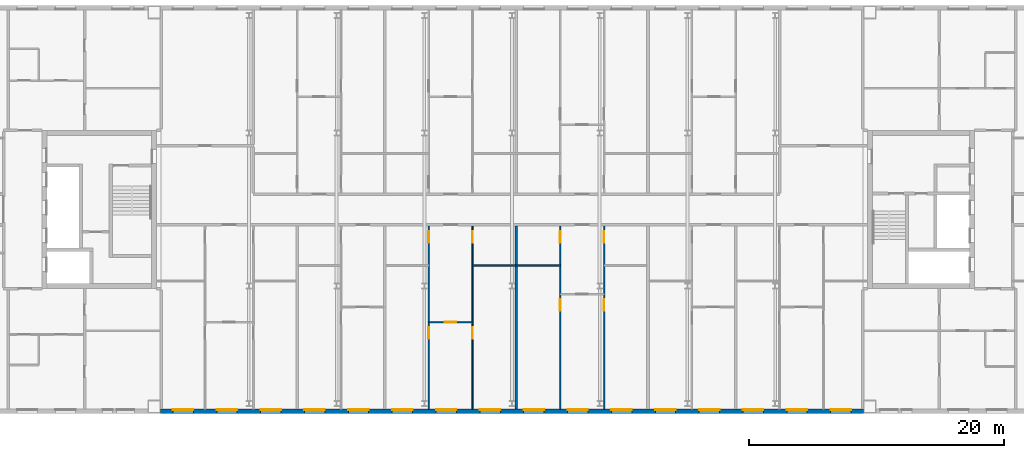
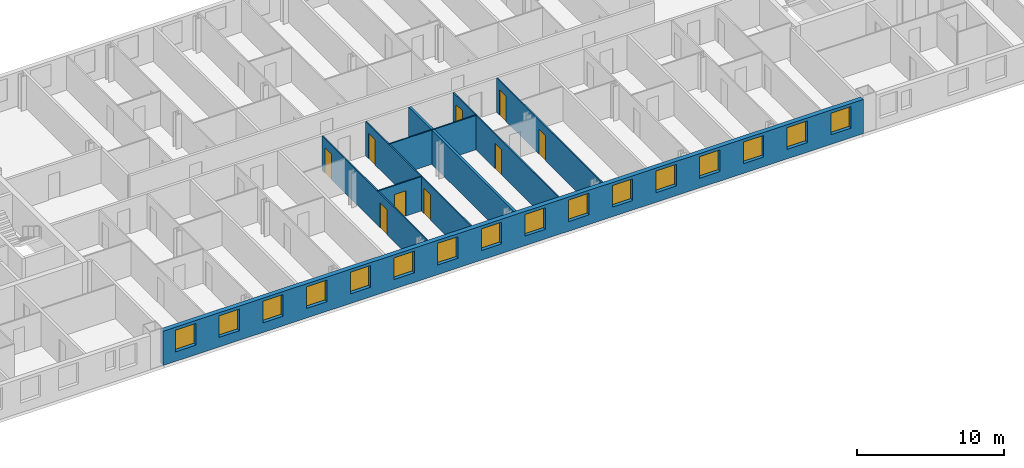
# One storey, part 10 of 19: 16 windows, 9 doors, 8 walls, 25 openings.
"""IFC4 building model written with IfcOpenShell, lengths in metres."""

from ifc_helpers import new_model, si_unit, direction, frame, frame_2d, origin, place, context, subcontext, project, spatial, rectangle, extrude, material, layer, layer_set, type_object, element, fill, save


model = new_model("IFC4")

# Units and contexts
model_context = context("Model", 3, precision=1e-05, world=origin(), true_north=direction((0.0, 1.0)))
body_context = subcontext(model_context, "Body", "Model", "MODEL_VIEW")
ifc_project = project(units=[si_unit("LENGTHUNIT", "METRE"), si_unit("AREAUNIT", "SQUARE_METRE"), si_unit("VOLUMEUNIT", "CUBIC_METRE"), si_unit("PLANEANGLEUNIT", "RADIAN"), si_unit("MASSUNIT", "GRAM", prefix="KILO")], contexts=[model_context])

# Site, building, storey
site_placement = place(None, origin())
site = spatial("IfcSite", under=ifc_project, at=site_placement, CompositionType="ELEMENT")
building_placement = place(site_placement, origin())
building = spatial("IfcBuilding", under=site, at=building_placement, Name="Tuart Gate Housing", CompositionType="ELEMENT")
storey_placement = place(building_placement, frame((0.0, 0.0, 209.0)))
storey = spatial("IfcBuildingStorey", under=building, at=storey_placement, Name="L59", CompositionType="ELEMENT", Elevation=209.0)

# Wall, openings, windows
ifc_material_1 = material(Name="Brick", Category="masonry")
ifc_layer_1 = layer(ifc_material_1, 0.360107421875)
ifc_layer_set_1 = layer_set([ifc_layer_1], Name="Brick pier and spandrel wall 360")
wall_type_1 = type_object("IfcWallType", Name="Brick pier and spandrel wall 360", PredefinedType="STANDARD", material=ifc_layer_set_1)
wall_1_placement = place(storey_placement, frame((75.949951171875, 54.179931640625, 0.0), z_axis=(0.0, 0.0, 1.0), x_axis=(1.0, 0.0, 0.0)))
wall_1 = element("IfcWall", 1, at=wall_1_placement, inside=storey, type_object=wall_type_1, Name="External wall BLK-S L59", PredefinedType="STANDARD", context=body_context, shape_type="SweptSolid", body=[
    extrude(rectangle(XDim=55.10009765625, YDim=0.360107421875, at=frame_2d((27.550048828125, 0.0))), origin(), (0.0, 0.0, 1.0), 2.85009765625),
])
opening_1_placement = place(wall_1_placement, frame((0.96875, 0.0, 0.800048828125)))
opening_1 = element("IfcOpeningElement", 2, at=opening_1_placement, cuts=wall_1, Name="Opening W1", PredefinedType="OPENING", context=body_context, shape_type="SweptSolid", body=[
    extrude(rectangle(XDim=1.60009765625, YDim=1.800048828125, at=frame_2d((0.800048828125, 0.89990234375))), frame((0.0, 0.18994140625, 0.0), z_axis=(0.0, -1.0, 0.0), x_axis=(1.0, 0.0, 0.0)), (0.0, 0.0, 1.0), 0.380126953125),
])
opening_2_placement = place(wall_1_placement, frame((4.40625, 0.0, 0.800048828125)))
opening_2 = element("IfcOpeningElement", 3, at=opening_2_placement, cuts=wall_1, Name="Opening W1", PredefinedType="OPENING", context=body_context, shape_type="SweptSolid", body=[
    extrude(rectangle(XDim=1.60009765625, YDim=1.800048828125, at=frame_2d((0.800048828125, 0.89990234375))), frame((0.0, 0.18994140625, 0.0), z_axis=(0.0, -1.0, 0.0), x_axis=(1.0, 0.0, 0.0)), (0.0, 0.0, 1.0), 0.380126953125),
])
opening_3_placement = place(wall_1_placement, frame((7.84375, 0.0, 0.800048828125)))
opening_3 = element("IfcOpeningElement", 4, at=opening_3_placement, cuts=wall_1, Name="Opening W1", PredefinedType="OPENING", context=body_context, shape_type="SweptSolid", body=[
    extrude(rectangle(XDim=1.60009765625, YDim=1.800048828125, at=frame_2d((0.800048828125, 0.89990234375))), frame((0.0, 0.18994140625, 0.0), z_axis=(0.0, -1.0, 0.0), x_axis=(1.0, 0.0, 0.0)), (0.0, 0.0, 1.0), 0.380126953125),
])
opening_4_placement = place(wall_1_placement, frame((11.28125, 0.0, 0.800048828125)))
opening_4 = element("IfcOpeningElement", 5, at=opening_4_placement, cuts=wall_1, Name="Opening W1", PredefinedType="OPENING", context=body_context, shape_type="SweptSolid", body=[
    extrude(rectangle(XDim=1.60009765625, YDim=1.800048828125, at=frame_2d((0.800048828125, 0.89990234375))), frame((0.0, 0.18994140625, 0.0), z_axis=(0.0, -1.0, 0.0), x_axis=(1.0, 0.0, 0.0)), (0.0, 0.0, 1.0), 0.380126953125),
])
opening_5_placement = place(wall_1_placement, frame((14.71875, 0.0, 0.800048828125)))
opening_5 = element("IfcOpeningElement", 6, at=opening_5_placement, cuts=wall_1, Name="Opening W1", PredefinedType="OPENING", context=body_context, shape_type="SweptSolid", body=[
    extrude(rectangle(XDim=1.60009765625, YDim=1.800048828125, at=frame_2d((0.800048828125, 0.89990234375))), frame((0.0, 0.18994140625, 0.0), z_axis=(0.0, -1.0, 0.0), x_axis=(1.0, 0.0, 0.0)), (0.0, 0.0, 1.0), 0.380126953125),
])
opening_6_placement = place(wall_1_placement, frame((18.15625, 0.0, 0.800048828125)))
opening_6 = element("IfcOpeningElement", 7, at=opening_6_placement, cuts=wall_1, Name="Opening W1", PredefinedType="OPENING", context=body_context, shape_type="SweptSolid", body=[
    extrude(rectangle(XDim=1.60009765625, YDim=1.800048828125, at=frame_2d((0.800048828125, 0.89990234375))), frame((0.0, 0.18994140625, 0.0), z_axis=(0.0, -1.0, 0.0), x_axis=(1.0, 0.0, 0.0)), (0.0, 0.0, 1.0), 0.380126953125),
])
opening_7_placement = place(wall_1_placement, frame((21.59375, 0.0, 0.800048828125)))
opening_7 = element("IfcOpeningElement", 8, at=opening_7_placement, cuts=wall_1, Name="Opening W1", PredefinedType="OPENING", context=body_context, shape_type="SweptSolid", body=[
    extrude(rectangle(XDim=1.60009765625, YDim=1.800048828125, at=frame_2d((0.800048828125, 0.89990234375))), frame((0.0, 0.18994140625, 0.0), z_axis=(0.0, -1.0, 0.0), x_axis=(1.0, 0.0, 0.0)), (0.0, 0.0, 1.0), 0.380126953125),
])
opening_8_placement = place(wall_1_placement, frame((25.03125, 0.0, 0.800048828125)))
opening_8 = element("IfcOpeningElement", 9, at=opening_8_placement, cuts=wall_1, Name="Opening W1", PredefinedType="OPENING", context=body_context, shape_type="SweptSolid", body=[
    extrude(rectangle(XDim=1.60009765625, YDim=1.800048828125, at=frame_2d((0.800048828125, 0.89990234375))), frame((0.0, 0.18994140625, 0.0), z_axis=(0.0, -1.0, 0.0), x_axis=(1.0, 0.0, 0.0)), (0.0, 0.0, 1.0), 0.380126953125),
])
opening_9_placement = place(wall_1_placement, frame((28.46875, 0.0, 0.800048828125)))
opening_9 = element("IfcOpeningElement", 10, at=opening_9_placement, cuts=wall_1, Name="Opening W1", PredefinedType="OPENING", context=body_context, shape_type="SweptSolid", body=[
    extrude(rectangle(XDim=1.60009765625, YDim=1.800048828125, at=frame_2d((0.800048828125, 0.89990234375))), frame((0.0, 0.18994140625, 0.0), z_axis=(0.0, -1.0, 0.0), x_axis=(1.0, 0.0, 0.0)), (0.0, 0.0, 1.0), 0.380126953125),
])
opening_10_placement = place(wall_1_placement, frame((31.90625, 0.0, 0.800048828125)))
opening_10 = element("IfcOpeningElement", 11, at=opening_10_placement, cuts=wall_1, Name="Opening W1", PredefinedType="OPENING", context=body_context, shape_type="SweptSolid", body=[
    extrude(rectangle(XDim=1.60009765625, YDim=1.800048828125, at=frame_2d((0.800048828125, 0.89990234375))), frame((0.0, 0.18994140625, 0.0), z_axis=(0.0, -1.0, 0.0), x_axis=(1.0, 0.0, 0.0)), (0.0, 0.0, 1.0), 0.380126953125),
])
opening_11_placement = place(wall_1_placement, frame((35.34375, 0.0, 0.800048828125)))
opening_11 = element("IfcOpeningElement", 12, at=opening_11_placement, cuts=wall_1, Name="Opening W1", PredefinedType="OPENING", context=body_context, shape_type="SweptSolid", body=[
    extrude(rectangle(XDim=1.60009765625, YDim=1.800048828125, at=frame_2d((0.800048828125, 0.89990234375))), frame((0.0, 0.18994140625, 0.0), z_axis=(0.0, -1.0, 0.0), x_axis=(1.0, 0.0, 0.0)), (0.0, 0.0, 1.0), 0.380126953125),
])
opening_12_placement = place(wall_1_placement, frame((38.78125, 0.0, 0.800048828125)))
opening_12 = element("IfcOpeningElement", 13, at=opening_12_placement, cuts=wall_1, Name="Opening W1", PredefinedType="OPENING", context=body_context, shape_type="SweptSolid", body=[
    extrude(rectangle(XDim=1.60009765625, YDim=1.800048828125, at=frame_2d((0.800048828125, 0.89990234375))), frame((0.0, 0.18994140625, 0.0), z_axis=(0.0, -1.0, 0.0), x_axis=(1.0, 0.0, 0.0)), (0.0, 0.0, 1.0), 0.380126953125),
])
opening_13_placement = place(wall_1_placement, frame((42.21875, 0.0, 0.800048828125)))
opening_13 = element("IfcOpeningElement", 14, at=opening_13_placement, cuts=wall_1, Name="Opening W1", PredefinedType="OPENING", context=body_context, shape_type="SweptSolid", body=[
    extrude(rectangle(XDim=1.60009765625, YDim=1.800048828125, at=frame_2d((0.800048828125, 0.89990234375))), frame((0.0, 0.18994140625, 0.0), z_axis=(0.0, -1.0, 0.0), x_axis=(1.0, 0.0, 0.0)), (0.0, 0.0, 1.0), 0.380126953125),
])
opening_14_placement = place(wall_1_placement, frame((45.65625, 0.0, 0.800048828125)))
opening_14 = element("IfcOpeningElement", 15, at=opening_14_placement, cuts=wall_1, Name="Opening W1", PredefinedType="OPENING", context=body_context, shape_type="SweptSolid", body=[
    extrude(rectangle(XDim=1.60009765625, YDim=1.800048828125, at=frame_2d((0.800048828125, 0.89990234375))), frame((0.0, 0.18994140625, 0.0), z_axis=(0.0, -1.0, 0.0), x_axis=(1.0, 0.0, 0.0)), (0.0, 0.0, 1.0), 0.380126953125),
])
opening_15_placement = place(wall_1_placement, frame((49.09375, 0.0, 0.800048828125)))
opening_15 = element("IfcOpeningElement", 16, at=opening_15_placement, cuts=wall_1, Name="Opening W1", PredefinedType="OPENING", context=body_context, shape_type="SweptSolid", body=[
    extrude(rectangle(XDim=1.60009765625, YDim=1.800048828125, at=frame_2d((0.800048828125, 0.89990234375))), frame((0.0, 0.18994140625, 0.0), z_axis=(0.0, -1.0, 0.0), x_axis=(1.0, 0.0, 0.0)), (0.0, 0.0, 1.0), 0.380126953125),
])
opening_16_placement = place(wall_1_placement, frame((52.53125, 0.0, 0.800048828125)))
opening_16 = element("IfcOpeningElement", 17, at=opening_16_placement, cuts=wall_1, Name="Opening W1", PredefinedType="OPENING", context=body_context, shape_type="SweptSolid", body=[
    extrude(rectangle(XDim=1.60009765625, YDim=1.800048828125, at=frame_2d((0.800048828125, 0.89990234375))), frame((0.0, 0.18994140625, 0.0), z_axis=(0.0, -1.0, 0.0), x_axis=(1.0, 0.0, 0.0)), (0.0, 0.0, 1.0), 0.380126953125),
])
ifc_material_2 = material(Name="Aluminium frame with clear glass", Category="aluminium")
window_type = type_object("IfcWindowType", Name="Punched window 1600 x 1800", PartitioningType="SINGLE_PANEL", PredefinedType="WINDOW", material=ifc_material_2)
window_1_placement = place(opening_1_placement, origin())
window_1 = element("IfcWindow", 18, at=window_1_placement, inside=storey, type_object=window_type, Name="Window W1", OverallHeight=1.800048828125, OverallWidth=1.60009765625, PartitioningType="SINGLE_PANEL", PredefinedType="WINDOW", context=body_context, shape_type="SweptSolid", body=[
    extrude(rectangle(XDim=1.60009765625, YDim=1.800048828125, at=frame_2d((0.800048828125, 0.89990234375))), frame((0.0, 0.150146484375, 0.0), z_axis=(0.0, -1.0, 0.0), x_axis=(1.0, 0.0, 0.0)), (0.0, 0.0, 1.0), 0.06005859375),
])
fill(opening_1, window_1)
window_2_placement = place(opening_2_placement, origin())
window_2 = element("IfcWindow", 19, at=window_2_placement, inside=storey, type_object=window_type, Name="Window W1", OverallHeight=1.800048828125, OverallWidth=1.60009765625, PartitioningType="SINGLE_PANEL", PredefinedType="WINDOW", context=body_context, shape_type="SweptSolid", body=[
    extrude(rectangle(XDim=1.60009765625, YDim=1.800048828125, at=frame_2d((0.800048828125, 0.89990234375))), frame((0.0, 0.150146484375, 0.0), z_axis=(0.0, -1.0, 0.0), x_axis=(1.0, 0.0, 0.0)), (0.0, 0.0, 1.0), 0.06005859375),
])
fill(opening_2, window_2)
window_3_placement = place(opening_3_placement, origin())
window_3 = element("IfcWindow", 20, at=window_3_placement, inside=storey, type_object=window_type, Name="Window W1", OverallHeight=1.800048828125, OverallWidth=1.60009765625, PartitioningType="SINGLE_PANEL", PredefinedType="WINDOW", context=body_context, shape_type="SweptSolid", body=[
    extrude(rectangle(XDim=1.60009765625, YDim=1.800048828125, at=frame_2d((0.800048828125, 0.89990234375))), frame((0.0, 0.150146484375, 0.0), z_axis=(0.0, -1.0, 0.0), x_axis=(1.0, 0.0, 0.0)), (0.0, 0.0, 1.0), 0.06005859375),
])
fill(opening_3, window_3)
window_4_placement = place(opening_4_placement, origin())
window_4 = element("IfcWindow", 21, at=window_4_placement, inside=storey, type_object=window_type, Name="Window W1", OverallHeight=1.800048828125, OverallWidth=1.60009765625, PartitioningType="SINGLE_PANEL", PredefinedType="WINDOW", context=body_context, shape_type="SweptSolid", body=[
    extrude(rectangle(XDim=1.60009765625, YDim=1.800048828125, at=frame_2d((0.800048828125, 0.89990234375))), frame((0.0, 0.150146484375, 0.0), z_axis=(0.0, -1.0, 0.0), x_axis=(1.0, 0.0, 0.0)), (0.0, 0.0, 1.0), 0.06005859375),
])
fill(opening_4, window_4)
window_5_placement = place(opening_5_placement, origin())
window_5 = element("IfcWindow", 22, at=window_5_placement, inside=storey, type_object=window_type, Name="Window W1", OverallHeight=1.800048828125, OverallWidth=1.60009765625, PartitioningType="SINGLE_PANEL", PredefinedType="WINDOW", context=body_context, shape_type="SweptSolid", body=[
    extrude(rectangle(XDim=1.60009765625, YDim=1.800048828125, at=frame_2d((0.800048828125, 0.89990234375))), frame((0.0, 0.150146484375, 0.0), z_axis=(0.0, -1.0, 0.0), x_axis=(1.0, 0.0, 0.0)), (0.0, 0.0, 1.0), 0.06005859375),
])
fill(opening_5, window_5)
window_6_placement = place(opening_6_placement, origin())
window_6 = element("IfcWindow", 23, at=window_6_placement, inside=storey, type_object=window_type, Name="Window W1", OverallHeight=1.800048828125, OverallWidth=1.60009765625, PartitioningType="SINGLE_PANEL", PredefinedType="WINDOW", context=body_context, shape_type="SweptSolid", body=[
    extrude(rectangle(XDim=1.60009765625, YDim=1.800048828125, at=frame_2d((0.800048828125, 0.89990234375))), frame((0.0, 0.150146484375, 0.0), z_axis=(0.0, -1.0, 0.0), x_axis=(1.0, 0.0, 0.0)), (0.0, 0.0, 1.0), 0.06005859375),
])
fill(opening_6, window_6)
window_7_placement = place(opening_7_placement, origin())
window_7 = element("IfcWindow", 24, at=window_7_placement, inside=storey, type_object=window_type, Name="Window W1", OverallHeight=1.800048828125, OverallWidth=1.60009765625, PartitioningType="SINGLE_PANEL", PredefinedType="WINDOW", context=body_context, shape_type="SweptSolid", body=[
    extrude(rectangle(XDim=1.60009765625, YDim=1.800048828125, at=frame_2d((0.800048828125, 0.89990234375))), frame((0.0, 0.150146484375, 0.0), z_axis=(0.0, -1.0, 0.0), x_axis=(1.0, 0.0, 0.0)), (0.0, 0.0, 1.0), 0.06005859375),
])
fill(opening_7, window_7)
window_8_placement = place(opening_8_placement, origin())
window_8 = element("IfcWindow", 25, at=window_8_placement, inside=storey, type_object=window_type, Name="Window W1", OverallHeight=1.800048828125, OverallWidth=1.60009765625, PartitioningType="SINGLE_PANEL", PredefinedType="WINDOW", context=body_context, shape_type="SweptSolid", body=[
    extrude(rectangle(XDim=1.60009765625, YDim=1.800048828125, at=frame_2d((0.800048828125, 0.89990234375))), frame((0.0, 0.150146484375, 0.0), z_axis=(0.0, -1.0, 0.0), x_axis=(1.0, 0.0, 0.0)), (0.0, 0.0, 1.0), 0.06005859375),
])
fill(opening_8, window_8)
window_9_placement = place(opening_9_placement, origin())
window_9 = element("IfcWindow", 26, at=window_9_placement, inside=storey, type_object=window_type, Name="Window W1", OverallHeight=1.800048828125, OverallWidth=1.60009765625, PartitioningType="SINGLE_PANEL", PredefinedType="WINDOW", context=body_context, shape_type="SweptSolid", body=[
    extrude(rectangle(XDim=1.60009765625, YDim=1.800048828125, at=frame_2d((0.800048828125, 0.89990234375))), frame((0.0, 0.150146484375, 0.0), z_axis=(0.0, -1.0, 0.0), x_axis=(1.0, 0.0, 0.0)), (0.0, 0.0, 1.0), 0.06005859375),
])
fill(opening_9, window_9)
window_10_placement = place(opening_10_placement, origin())
window_10 = element("IfcWindow", 27, at=window_10_placement, inside=storey, type_object=window_type, Name="Window W1", OverallHeight=1.800048828125, OverallWidth=1.60009765625, PartitioningType="SINGLE_PANEL", PredefinedType="WINDOW", context=body_context, shape_type="SweptSolid", body=[
    extrude(rectangle(XDim=1.60009765625, YDim=1.800048828125, at=frame_2d((0.800048828125, 0.89990234375))), frame((0.0, 0.150146484375, 0.0), z_axis=(0.0, -1.0, 0.0), x_axis=(1.0, 0.0, 0.0)), (0.0, 0.0, 1.0), 0.06005859375),
])
fill(opening_10, window_10)
window_11_placement = place(opening_11_placement, origin())
window_11 = element("IfcWindow", 28, at=window_11_placement, inside=storey, type_object=window_type, Name="Window W1", OverallHeight=1.800048828125, OverallWidth=1.60009765625, PartitioningType="SINGLE_PANEL", PredefinedType="WINDOW", context=body_context, shape_type="SweptSolid", body=[
    extrude(rectangle(XDim=1.60009765625, YDim=1.800048828125, at=frame_2d((0.800048828125, 0.89990234375))), frame((0.0, 0.150146484375, 0.0), z_axis=(0.0, -1.0, 0.0), x_axis=(1.0, 0.0, 0.0)), (0.0, 0.0, 1.0), 0.06005859375),
])
fill(opening_11, window_11)
window_12_placement = place(opening_12_placement, origin())
window_12 = element("IfcWindow", 29, at=window_12_placement, inside=storey, type_object=window_type, Name="Window W1", OverallHeight=1.800048828125, OverallWidth=1.60009765625, PartitioningType="SINGLE_PANEL", PredefinedType="WINDOW", context=body_context, shape_type="SweptSolid", body=[
    extrude(rectangle(XDim=1.60009765625, YDim=1.800048828125, at=frame_2d((0.800048828125, 0.89990234375))), frame((0.0, 0.150146484375, 0.0), z_axis=(0.0, -1.0, 0.0), x_axis=(1.0, 0.0, 0.0)), (0.0, 0.0, 1.0), 0.06005859375),
])
fill(opening_12, window_12)
window_13_placement = place(opening_13_placement, origin())
window_13 = element("IfcWindow", 30, at=window_13_placement, inside=storey, type_object=window_type, Name="Window W1", OverallHeight=1.800048828125, OverallWidth=1.60009765625, PartitioningType="SINGLE_PANEL", PredefinedType="WINDOW", context=body_context, shape_type="SweptSolid", body=[
    extrude(rectangle(XDim=1.60009765625, YDim=1.800048828125, at=frame_2d((0.800048828125, 0.89990234375))), frame((0.0, 0.150146484375, 0.0), z_axis=(0.0, -1.0, 0.0), x_axis=(1.0, 0.0, 0.0)), (0.0, 0.0, 1.0), 0.06005859375),
])
fill(opening_13, window_13)
window_14_placement = place(opening_14_placement, origin())
window_14 = element("IfcWindow", 31, at=window_14_placement, inside=storey, type_object=window_type, Name="Window W1", OverallHeight=1.800048828125, OverallWidth=1.60009765625, PartitioningType="SINGLE_PANEL", PredefinedType="WINDOW", context=body_context, shape_type="SweptSolid", body=[
    extrude(rectangle(XDim=1.60009765625, YDim=1.800048828125, at=frame_2d((0.800048828125, 0.89990234375))), frame((0.0, 0.150146484375, 0.0), z_axis=(0.0, -1.0, 0.0), x_axis=(1.0, 0.0, 0.0)), (0.0, 0.0, 1.0), 0.06005859375),
])
fill(opening_14, window_14)
window_15_placement = place(opening_15_placement, origin())
window_15 = element("IfcWindow", 32, at=window_15_placement, inside=storey, type_object=window_type, Name="Window W1", OverallHeight=1.800048828125, OverallWidth=1.60009765625, PartitioningType="SINGLE_PANEL", PredefinedType="WINDOW", context=body_context, shape_type="SweptSolid", body=[
    extrude(rectangle(XDim=1.60009765625, YDim=1.800048828125, at=frame_2d((0.800048828125, 0.89990234375))), frame((0.0, 0.150146484375, 0.0), z_axis=(0.0, -1.0, 0.0), x_axis=(1.0, 0.0, 0.0)), (0.0, 0.0, 1.0), 0.06005859375),
])
fill(opening_15, window_15)
window_16_placement = place(opening_16_placement, origin())
window_16 = element("IfcWindow", 33, at=window_16_placement, inside=storey, type_object=window_type, Name="Window W1", OverallHeight=1.800048828125, OverallWidth=1.60009765625, PartitioningType="SINGLE_PANEL", PredefinedType="WINDOW", context=body_context, shape_type="SweptSolid", body=[
    extrude(rectangle(XDim=1.60009765625, YDim=1.800048828125, at=frame_2d((0.800048828125, 0.89990234375))), frame((0.0, 0.150146484375, 0.0), z_axis=(0.0, -1.0, 0.0), x_axis=(1.0, 0.0, 0.0)), (0.0, 0.0, 1.0), 0.06005859375),
])
fill(opening_16, window_16)

# Wall, opening, door
ifc_material_3 = material(Name="Gypsum board on steel studs", Category="steel")
ifc_layer_2 = layer(ifc_material_3, 0.10009765625)
ifc_layer_set_2 = layer_set([ifc_layer_2], Name="Partition 100")
wall_type_2 = type_object("IfcWallType", Name="Partition 100", PredefinedType="PARTITIONING", material=ifc_layer_set_2)
wall_2_placement = place(storey_placement, frame((96.97509765625, 61.159912109375, 0.0), z_axis=(0.0, 0.0, 1.0), x_axis=(1.0, 0.0, 0.0)))
wall_2 = element("IfcWall", 34, at=wall_2_placement, inside=storey, type_object=wall_type_2, Name="Partition 100", PredefinedType="PARTITIONING", context=body_context, shape_type="SweptSolid", body=[
    extrude(rectangle(XDim=3.43701171875, YDim=0.10009765625, at=frame_2d((1.718505859375, 0.0))), origin(), (0.0, 0.0, 1.0), 2.85009765625),
])
opening_17_placement = place(wall_2_placement, frame((1.2685546875, 0.0, 0.0)))
opening_17 = element("IfcOpeningElement", 35, at=opening_17_placement, cuts=wall_2, Name="Opening D2223", PredefinedType="OPENING", context=body_context, shape_type="SweptSolid", body=[
    extrude(rectangle(XDim=0.89990234375, YDim=2.10009765625, at=frame_2d((0.449951171875, 1.050048828125))), frame((0.0, 0.06005859375, 0.0), z_axis=(0.0, -1.0, 0.0), x_axis=(1.0, 0.0, 0.0)), (0.0, 0.0, 1.0), 0.1201171875),
])
ifc_material_4 = material(Name="Timber door leaf in steel frame", Category="steel")
door_type_1 = type_object("IfcDoorType", Name="Internal door 900", OperationType="SINGLE_SWING_LEFT", PredefinedType="DOOR", material=ifc_material_4)
door_1_placement = place(opening_17_placement, origin())
door_1 = element("IfcDoor", 36, at=door_1_placement, inside=storey, type_object=door_type_1, Name="Internal door", OperationType="SINGLE_SWING_LEFT", OverallHeight=2.10009765625, OverallWidth=0.89990234375, PredefinedType="DOOR", context=body_context, shape_type="SweptSolid", body=[
    extrude(rectangle(XDim=0.89990234375, YDim=2.10009765625, at=frame_2d((0.449951171875, 1.050048828125))), frame((0.0, 0.02490234375, 0.0), z_axis=(0.0, -1.0, 0.0), x_axis=(1.0, 0.0, 0.0)), (0.0, 0.0, 1.0), 0.050048828125),
])
fill(opening_17, door_1)

# Wall
wall_3_placement = place(storey_placement, frame((100.412109375, 65.60009765625, 0.0), z_axis=(0.0, 0.0, 1.0), x_axis=(1.0, 0.0, 0.0)))
element("IfcWall", 37, at=wall_3_placement, inside=storey, type_object=wall_type_2, Name="Partition 100", PredefinedType="PARTITIONING", context=body_context, shape_type="SweptSolid", body=[
    extrude(rectangle(XDim=6.875, YDim=0.10009765625, at=frame_2d((3.4375, 0.0))), origin(), (0.0, 0.0, 1.0), 2.85009765625),
])

# Wall, openings, doors
wall_4_placement = place(storey_placement, frame((96.97509765625, 54.360107421875, 0.0), z_axis=(0.0, 0.0, 1.0), x_axis=(0.0, 1.0, 0.0)))
wall_4 = element("IfcWall", 38, at=wall_4_placement, inside=storey, type_object=wall_type_2, Name="Partition 100", PredefinedType="PARTITIONING", context=body_context, shape_type="SweptSolid", body=[
    extrude(rectangle(XDim=14.33984375, YDim=0.10009765625, at=frame_2d((7.169921875, 0.0))), origin(), (0.0, 0.0, 1.0), 2.85009765625),
])
opening_18_placement = place(wall_4_placement, frame((5.5, 0.0, 0.0)))
opening_18 = element("IfcOpeningElement", 39, at=opening_18_placement, cuts=wall_4, Name="Opening D2209", PredefinedType="OPENING", context=body_context, shape_type="SweptSolid", body=[
    extrude(rectangle(XDim=0.89990234375, YDim=2.10009765625, at=frame_2d((0.449951171875, 1.050048828125))), frame((0.0, 0.06005859375, 0.0), z_axis=(0.0, -1.0, 0.0), x_axis=(1.0, 0.0, 0.0)), (0.0, 0.0, 1.0), 0.1201171875),
])
opening_19_placement = place(wall_4_placement, frame((13.0400390625, 0.0, 0.0)))
opening_19 = element("IfcOpeningElement", 40, at=opening_19_placement, cuts=wall_4, Name="Opening D2208", PredefinedType="OPENING", context=body_context, shape_type="SweptSolid", body=[
    extrude(rectangle(XDim=0.89990234375, YDim=2.10009765625, at=frame_2d((0.449951171875, 1.050048828125))), frame((0.0, 0.06005859375, 0.0), z_axis=(0.0, -1.0, 0.0), x_axis=(1.0, 0.0, 0.0)), (0.0, 0.0, 1.0), 0.1201171875),
])
ifc_material_5 = material(Name="Timber door leaf in steel frame", Category="steel")
door_type_2 = type_object("IfcDoorType", Name="Bathroom door 900 RH", OperationType="SINGLE_SWING_RIGHT", PredefinedType="DOOR", material=ifc_material_5)
door_2_placement = place(opening_19_placement, origin())
door_2 = element("IfcDoor", 41, at=door_2_placement, inside=storey, type_object=door_type_2, Name="Bathroom door", OperationType="SINGLE_SWING_RIGHT", OverallHeight=2.10009765625, OverallWidth=0.89990234375, PredefinedType="DOOR", context=body_context, shape_type="SweptSolid", body=[
    extrude(rectangle(XDim=0.89990234375, YDim=2.10009765625, at=frame_2d((0.449951171875, 1.050048828125))), frame((0.0, 0.02490234375, 0.0), z_axis=(0.0, -1.0, 0.0), x_axis=(1.0, 0.0, 0.0)), (0.0, 0.0, 1.0), 0.050048828125),
])
fill(opening_19, door_2)
ifc_material_6 = material(Name="Timber door leaf in steel frame", Category="steel")
door_type_3 = type_object("IfcDoorType", Name="Internal door 900 RH", OperationType="SINGLE_SWING_RIGHT", PredefinedType="DOOR", material=ifc_material_6)
door_3_placement = place(opening_18_placement, origin())
door_3 = element("IfcDoor", 42, at=door_3_placement, inside=storey, type_object=door_type_3, Name="Internal door", OperationType="SINGLE_SWING_RIGHT", OverallHeight=2.10009765625, OverallWidth=0.89990234375, PredefinedType="DOOR", context=body_context, shape_type="SweptSolid", body=[
    extrude(rectangle(XDim=0.89990234375, YDim=2.10009765625, at=frame_2d((0.449951171875, 1.050048828125))), frame((0.0, 0.02490234375, 0.0), z_axis=(0.0, -1.0, 0.0), x_axis=(1.0, 0.0, 0.0)), (0.0, 0.0, 1.0), 0.050048828125),
])
fill(opening_18, door_3)

wall_5_placement = place(storey_placement, frame((100.412109375, 54.360107421875, 0.0), z_axis=(0.0, 0.0, 1.0), x_axis=(0.0, 1.0, 0.0)))
wall_5 = element("IfcWall", 43, at=wall_5_placement, inside=storey, type_object=wall_type_2, Name="Partition 100", PredefinedType="PARTITIONING", context=body_context, shape_type="SweptSolid", body=[
    extrude(rectangle(XDim=14.33984375, YDim=0.10009765625, at=frame_2d((7.169921875, 0.0))), origin(), (0.0, 0.0, 1.0), 2.85009765625),
])
opening_20_placement = place(wall_5_placement, frame((5.5, 0.0, 0.0)))
opening_20 = element("IfcOpeningElement", 44, at=opening_20_placement, cuts=wall_5, Name="Opening D2211", PredefinedType="OPENING", context=body_context, shape_type="SweptSolid", body=[
    extrude(rectangle(XDim=0.89990234375, YDim=2.10009765625, at=frame_2d((0.449951171875, 1.050048828125))), frame((0.0, 0.06005859375, 0.0), z_axis=(0.0, -1.0, 0.0), x_axis=(1.0, 0.0, 0.0)), (0.0, 0.0, 1.0), 0.1201171875),
])
opening_21_placement = place(wall_5_placement, frame((13.0400390625, 0.0, 0.0)))
opening_21 = element("IfcOpeningElement", 45, at=opening_21_placement, cuts=wall_5, Name="Opening D2210", PredefinedType="OPENING", context=body_context, shape_type="SweptSolid", body=[
    extrude(rectangle(XDim=0.89990234375, YDim=2.10009765625, at=frame_2d((0.449951171875, 1.050048828125))), frame((0.0, 0.06005859375, 0.0), z_axis=(0.0, -1.0, 0.0), x_axis=(1.0, 0.0, 0.0)), (0.0, 0.0, 1.0), 0.1201171875),
])
ifc_material_7 = material(Name="Timber door leaf in steel frame", Category="steel")
door_type_4 = type_object("IfcDoorType", Name="Bathroom door 900", OperationType="SINGLE_SWING_LEFT", PredefinedType="DOOR", material=ifc_material_7)
door_4_placement = place(opening_21_placement, frame((0.89990234375, 0.0, 0.0), z_axis=(0.0, 0.0, 1.0), x_axis=(-1.0, 0.0, 0.0)))
door_4 = element("IfcDoor", 46, at=door_4_placement, inside=storey, type_object=door_type_4, Name="Bathroom door", OperationType="SINGLE_SWING_LEFT", OverallHeight=2.10009765625, OverallWidth=0.89990234375, PredefinedType="DOOR", context=body_context, shape_type="SweptSolid", body=[
    extrude(rectangle(XDim=0.89990234375, YDim=2.10009765625, at=frame_2d((0.449951171875, 1.050048828125))), frame((0.0, 0.025146484375, 0.0), z_axis=(0.0, -1.0, 0.0), x_axis=(1.0, 0.0, 0.0)), (0.0, 0.0, 1.0), 0.050048828125),
])
fill(opening_21, door_4)
door_5_placement = place(opening_20_placement, frame((0.89990234375, 0.0, 0.0), z_axis=(0.0, 0.0, 1.0), x_axis=(-1.0, 0.0, 0.0)))
door_5 = element("IfcDoor", 47, at=door_5_placement, inside=storey, type_object=door_type_1, Name="Internal door", OperationType="SINGLE_SWING_LEFT", OverallHeight=2.10009765625, OverallWidth=0.89990234375, PredefinedType="DOOR", context=body_context, shape_type="SweptSolid", body=[
    extrude(rectangle(XDim=0.89990234375, YDim=2.10009765625, at=frame_2d((0.449951171875, 1.050048828125))), frame((0.0, 0.025146484375, 0.0), z_axis=(0.0, -1.0, 0.0), x_axis=(1.0, 0.0, 0.0)), (0.0, 0.0, 1.0), 0.050048828125),
])
fill(opening_20, door_5)

wall_6_placement = place(storey_placement, frame((107.287109375, 54.360107421875, 0.0), z_axis=(0.0, 0.0, 1.0), x_axis=(0.0, 1.0, 0.0)))
wall_6 = element("IfcWall", 48, at=wall_6_placement, inside=storey, type_object=wall_type_2, Name="Partition 100", PredefinedType="PARTITIONING", context=body_context, shape_type="SweptSolid", body=[
    extrude(rectangle(XDim=14.33984375, YDim=0.10009765625, at=frame_2d((7.169921875, 0.0))), origin(), (0.0, 0.0, 1.0), 2.85009765625),
])
opening_22_placement = place(wall_6_placement, frame((7.699951171875, 0.0, 0.0)))
opening_22 = element("IfcOpeningElement", 49, at=opening_22_placement, cuts=wall_6, Name="Opening D2213", PredefinedType="OPENING", context=body_context, shape_type="SweptSolid", body=[
    extrude(rectangle(XDim=0.89990234375, YDim=2.10009765625, at=frame_2d((0.449951171875, 1.050048828125))), frame((0.0, 0.06005859375, 0.0), z_axis=(0.0, -1.0, 0.0), x_axis=(1.0, 0.0, 0.0)), (0.0, 0.0, 1.0), 0.1201171875),
])
opening_23_placement = place(wall_6_placement, frame((13.0400390625, 0.0, 0.0)))
opening_23 = element("IfcOpeningElement", 50, at=opening_23_placement, cuts=wall_6, Name="Opening D2212", PredefinedType="OPENING", context=body_context, shape_type="SweptSolid", body=[
    extrude(rectangle(XDim=0.89990234375, YDim=2.10009765625, at=frame_2d((0.449951171875, 1.050048828125))), frame((0.0, 0.06005859375, 0.0), z_axis=(0.0, -1.0, 0.0), x_axis=(1.0, 0.0, 0.0)), (0.0, 0.0, 1.0), 0.1201171875),
])
door_6_placement = place(opening_23_placement, origin())
door_6 = element("IfcDoor", 51, at=door_6_placement, inside=storey, type_object=door_type_2, Name="Bathroom door", OperationType="SINGLE_SWING_RIGHT", OverallHeight=2.10009765625, OverallWidth=0.89990234375, PredefinedType="DOOR", context=body_context, shape_type="SweptSolid", body=[
    extrude(rectangle(XDim=0.89990234375, YDim=2.10009765625, at=frame_2d((0.449951171875, 1.050048828125))), frame((0.0, 0.02490234375, 0.0), z_axis=(0.0, -1.0, 0.0), x_axis=(1.0, 0.0, 0.0)), (0.0, 0.0, 1.0), 0.050048828125),
])
fill(opening_23, door_6)
door_7_placement = place(opening_22_placement, origin())
door_7 = element("IfcDoor", 52, at=door_7_placement, inside=storey, type_object=door_type_3, Name="Internal door", OperationType="SINGLE_SWING_RIGHT", OverallHeight=2.10009765625, OverallWidth=0.89990234375, PredefinedType="DOOR", context=body_context, shape_type="SweptSolid", body=[
    extrude(rectangle(XDim=0.89990234375, YDim=2.10009765625, at=frame_2d((0.449951171875, 1.050048828125))), frame((0.0, 0.02490234375, 0.0), z_axis=(0.0, -1.0, 0.0), x_axis=(1.0, 0.0, 0.0)), (0.0, 0.0, 1.0), 0.050048828125),
])
fill(opening_22, door_7)

wall_7_placement = place(storey_placement, frame((110.72509765625, 54.360107421875, 0.0), z_axis=(0.0, 0.0, 1.0), x_axis=(0.0, 1.0, 0.0)))
wall_7 = element("IfcWall", 53, at=wall_7_placement, inside=storey, type_object=wall_type_2, Name="Partition 100", PredefinedType="PARTITIONING", context=body_context, shape_type="SweptSolid", body=[
    extrude(rectangle(XDim=14.33984375, YDim=0.10009765625, at=frame_2d((7.169921875, 0.0))), origin(), (0.0, 0.0, 1.0), 2.85009765625),
])
opening_24_placement = place(wall_7_placement, frame((7.699951171875, 0.0, 0.0)))
opening_24 = element("IfcOpeningElement", 54, at=opening_24_placement, cuts=wall_7, Name="Opening D2215", PredefinedType="OPENING", context=body_context, shape_type="SweptSolid", body=[
    extrude(rectangle(XDim=0.89990234375, YDim=2.10009765625, at=frame_2d((0.449951171875, 1.050048828125))), frame((0.0, 0.06005859375, 0.0), z_axis=(0.0, -1.0, 0.0), x_axis=(1.0, 0.0, 0.0)), (0.0, 0.0, 1.0), 0.1201171875),
])
opening_25_placement = place(wall_7_placement, frame((13.0400390625, 0.0, 0.0)))
opening_25 = element("IfcOpeningElement", 55, at=opening_25_placement, cuts=wall_7, Name="Opening D2214", PredefinedType="OPENING", context=body_context, shape_type="SweptSolid", body=[
    extrude(rectangle(XDim=0.89990234375, YDim=2.10009765625, at=frame_2d((0.449951171875, 1.050048828125))), frame((0.0, 0.06005859375, 0.0), z_axis=(0.0, -1.0, 0.0), x_axis=(1.0, 0.0, 0.0)), (0.0, 0.0, 1.0), 0.1201171875),
])
door_8_placement = place(opening_25_placement, frame((0.89990234375, 0.0, 0.0), z_axis=(0.0, 0.0, 1.0), x_axis=(-1.0, 0.0, 0.0)))
door_8 = element("IfcDoor", 56, at=door_8_placement, inside=storey, type_object=door_type_4, Name="Bathroom door", OperationType="SINGLE_SWING_LEFT", OverallHeight=2.10009765625, OverallWidth=0.89990234375, PredefinedType="DOOR", context=body_context, shape_type="SweptSolid", body=[
    extrude(rectangle(XDim=0.89990234375, YDim=2.10009765625, at=frame_2d((0.449951171875, 1.050048828125))), frame((0.0, 0.025146484375, 0.0), z_axis=(0.0, -1.0, 0.0), x_axis=(1.0, 0.0, 0.0)), (0.0, 0.0, 1.0), 0.050048828125),
])
fill(opening_25, door_8)
door_9_placement = place(opening_24_placement, frame((0.89990234375, 0.0, 0.0), z_axis=(0.0, 0.0, 1.0), x_axis=(-1.0, 0.0, 0.0)))
door_9 = element("IfcDoor", 57, at=door_9_placement, inside=storey, type_object=door_type_1, Name="Internal door", OperationType="SINGLE_SWING_LEFT", OverallHeight=2.10009765625, OverallWidth=0.89990234375, PredefinedType="DOOR", context=body_context, shape_type="SweptSolid", body=[
    extrude(rectangle(XDim=0.89990234375, YDim=2.10009765625, at=frame_2d((0.449951171875, 1.050048828125))), frame((0.0, 0.025146484375, 0.0), z_axis=(0.0, -1.0, 0.0), x_axis=(1.0, 0.0, 0.0)), (0.0, 0.0, 1.0), 0.050048828125),
])
fill(opening_24, door_9)

# Wall
ifc_material_8 = material(Name="Concrete masonry 15 MPa", Category="masonry")
ifc_layer_3 = layer(ifc_material_8, 0.199951171875)
ifc_layer_set_3 = layer_set([ifc_layer_3], Name="Party wall masonry 200")
wall_type_3 = type_object("IfcWallType", Name="Party wall masonry 200", PredefinedType="PARTITIONING", material=ifc_layer_set_3)
wall_8_placement = place(storey_placement, frame((103.85009765625, 54.360107421875, 0.0), z_axis=(0.0, 0.0, 1.0), x_axis=(0.0, 1.0, 0.0)))
element("IfcWall", 58, at=wall_8_placement, inside=storey, type_object=wall_type_3, Name="Party wall masonry 200", PredefinedType="PARTITIONING", context=body_context, shape_type="SweptSolid", body=[
    extrude(rectangle(XDim=14.33984375, YDim=0.199951171875, at=frame_2d((7.169921875, 0.0))), origin(), (0.0, 0.0, 1.0), 2.85009765625),
])

save(model, "model.ifc")
